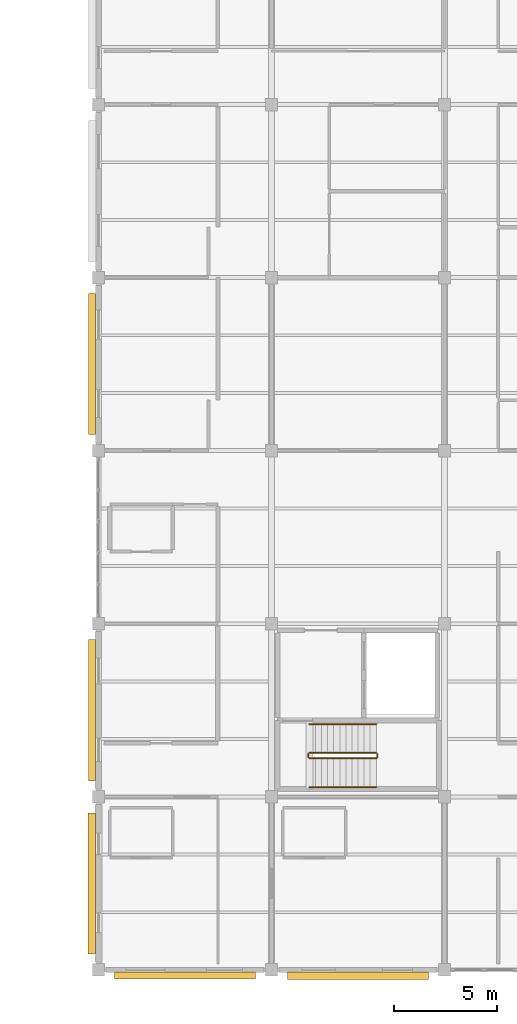
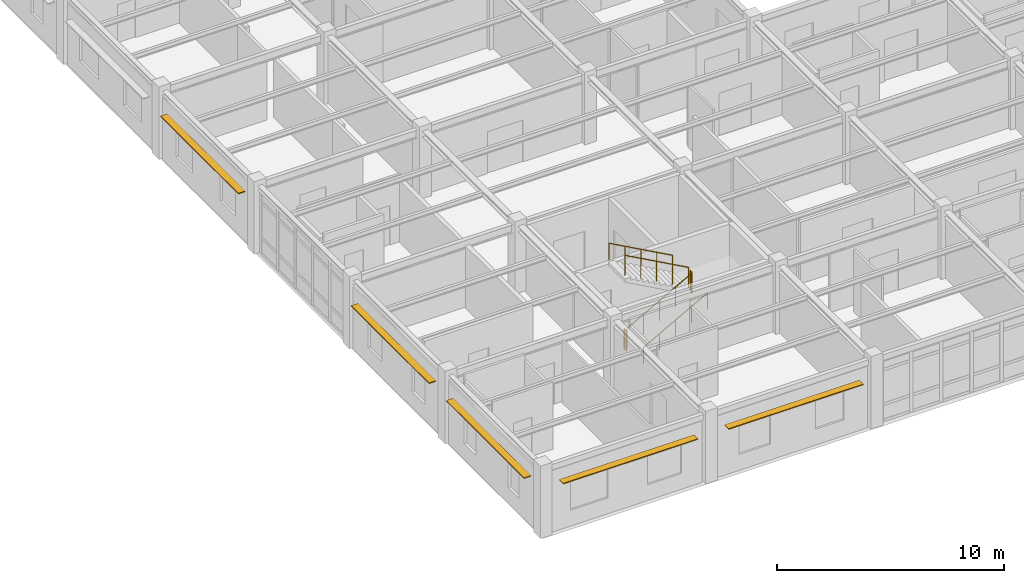
# One storey, part 61 of 70: 6 railings, 5 shading devices.
"""IFC4 building model written with IfcOpenShell, lengths in metres."""

from ifc_helpers import new_model, si_unit, direction, frame, origin, origin_2d, place, context, subcontext, project, spatial, rectangle, circle, extrude, material, material_profile, profile_set, type_object, element, save


model = new_model("IFC4")

# Units and contexts
model_context = context("Model", 3, precision=1e-05, world=origin(), true_north=direction((0.0, 1.0)))
body_context = subcontext(model_context, "Body", "Model", "MODEL_VIEW")
ifc_project = project(units=[si_unit("LENGTHUNIT", "METRE"), si_unit("AREAUNIT", "SQUARE_METRE"), si_unit("VOLUMEUNIT", "CUBIC_METRE"), si_unit("PLANEANGLEUNIT", "RADIAN"), si_unit("MASSUNIT", "GRAM", prefix="KILO")], contexts=[model_context])

# Site, building, storey
site_placement = place(None, origin())
site = spatial("IfcSite", under=ifc_project, at=site_placement, CompositionType="ELEMENT")
building_placement = place(site_placement, origin())
building = spatial("IfcBuilding", under=site, at=building_placement, Name="Bramfleet General Hospital", CompositionType="ELEMENT")
storey_placement = place(building_placement, frame((0.0, 0.0, 22.5)))
storey = spatial("IfcBuildingStorey", under=building, at=storey_placement, Name="L05", CompositionType="ELEMENT", Elevation=22.5)

# Railings
ifc_material_1 = material(Name="Powder-coated steel stair balustrade", Category="steel")
railing_type_1 = type_object("IfcRailingType", Name="RAIL-ST-GUARD", PredefinedType="GUARDRAIL", material=ifc_material_1)
railing_1_placement = place(storey_placement, frame((102.639892578125, 10.27001953125, 0.16259765625)))
element("IfcRailing", 1, at=railing_1_placement, inside=storey, type_object=railing_type_1, Name="L05 ST-C3 stair guard 1", PredefinedType="GUARDRAIL", context=body_context, shape_type="SweptSolid", body=[
    extrude(circle(Radius=0.02392578125, at=origin_2d()), frame((0.0, 0.0, 1.076171875), z_axis=(0.875926352668, 0.0, 0.482444841098), x_axis=(0.0, 1.0, 0.0)), (0.0, 0.0, 1.0), 3.704833984375),
    extrude(circle(Radius=0.02099609375, at=origin_2d()), origin(), (0.0, 0.0, 1.0), 1.052001953125),
    extrude(circle(Radius=0.02099609375, at=origin_2d()), frame((0.811279296875, 0.0, 0.44677734375)), (0.0, 0.0, 1.0), 1.052001953125),
    extrude(circle(Radius=0.02099609375, at=origin_2d()), frame((1.62255859375, 0.0, 0.8935546875)), (0.0, 0.0, 1.0), 1.052001953125),
    extrude(circle(Radius=0.02099609375, at=origin_2d()), frame((2.433837890625, 0.0, 1.340576171875)), (0.0, 0.0, 1.0), 1.052001953125),
    extrude(circle(Radius=0.02099609375, at=origin_2d()), frame((3.2451171875, 0.0, 1.787353515625)), (0.0, 0.0, 1.0), 1.052001953125),
])
railing_2_placement = place(storey_placement, frame((105.93505859375, 10.320068359375, 1.949951171875)))
element("IfcRailing", 2, at=railing_2_placement, inside=storey, type_object=railing_type_1, Name="L05 ST-C3 stair guard 2", PredefinedType="GUARDRAIL", context=body_context, shape_type="SweptSolid", body=[
    extrude(circle(Radius=0.02392578125, at=origin_2d()), frame((0.0, 0.0, 1.076171875), z_axis=(0.0, 1.0, 0.0), x_axis=(-1.0, 0.0, 0.0)), (0.0, 0.0, 1.0), 0.159912109375),
    extrude(circle(Radius=0.02099609375, at=origin_2d()), origin(), (0.0, 0.0, 1.0), 1.052001953125),
    extrude(circle(Radius=0.02099609375, at=origin_2d()), frame((0.0, 0.159912109375, 0.0)), (0.0, 0.0, 1.0), 1.052001953125),
])
railing_3_placement = place(storey_placement, frame((105.885009765625, 10.530029296875, 2.112548828125)))
element("IfcRailing", 3, at=railing_3_placement, inside=storey, type_object=railing_type_1, Name="L05 ST-C3 stair guard 3", PredefinedType="GUARDRAIL", context=body_context, shape_type="SweptSolid", body=[
    extrude(circle(Radius=0.02392578125, at=origin_2d()), frame((0.0, 0.0, 1.076171875), z_axis=(-0.875926352668, 0.0, 0.482444841098), x_axis=(0.0, -1.0, 0.0)), (0.0, 0.0, 1.0), 3.704833984375),
    extrude(circle(Radius=0.02099609375, at=origin_2d()), origin(), (0.0, 0.0, 1.0), 1.052001953125),
    extrude(circle(Radius=0.02099609375, at=origin_2d()), frame((-0.811279296875, 0.0, 0.44677734375)), (0.0, 0.0, 1.0), 1.052001953125),
    extrude(circle(Radius=0.02099609375, at=origin_2d()), frame((-1.62255859375, 0.0, 0.8935546875)), (0.0, 0.0, 1.0), 1.052001953125),
    extrude(circle(Radius=0.02099609375, at=origin_2d()), frame((-2.433837890625, 0.0, 1.340576171875)), (0.0, 0.0, 1.0), 1.052001953125),
    extrude(circle(Radius=0.02099609375, at=origin_2d()), frame((-3.2451171875, 0.0, 1.787353515625)), (0.0, 0.0, 1.0), 1.052001953125),
])
railing_4_placement = place(storey_placement, frame((102.590087890625, 10.320068359375, 0.0)))
element("IfcRailing", 4, at=railing_4_placement, inside=storey, type_object=railing_type_1, Name="L05 ST-C3 stair guard 4", PredefinedType="GUARDRAIL", context=body_context, shape_type="SweptSolid", body=[
    extrude(circle(Radius=0.02392578125, at=origin_2d()), frame((0.0, 0.0, 1.076171875), z_axis=(0.0, 1.0, 0.0), x_axis=(-1.0, 0.0, 0.0)), (0.0, 0.0, 1.0), 0.159912109375),
    extrude(circle(Radius=0.02099609375, at=origin_2d()), origin(), (0.0, 0.0, 1.0), 1.052001953125),
    extrude(circle(Radius=0.02099609375, at=origin_2d()), frame((0.0, 0.159912109375, 0.0)), (0.0, 0.0, 1.0), 1.052001953125),
])
ifc_material_2 = material(Name="Stainless steel 1.4301 stair handrail", Category="steel")
railing_type_2 = type_object("IfcRailingType", Name="RAIL-ST-HND", PredefinedType="HANDRAIL", material=ifc_material_2)
railing_5_placement = place(storey_placement, frame((102.639892578125, 8.8701171875, 0.16259765625)))
element("IfcRailing", 5, at=railing_5_placement, inside=storey, type_object=railing_type_2, Name="L05 ST-C3 stair handrail 1", PredefinedType="HANDRAIL", context=body_context, shape_type="SweptSolid", body=[
    extrude(circle(Radius=0.02392578125, at=origin_2d()), frame((0.0, 0.0, 0.8759765625), z_axis=(0.875926352668, 0.0, 0.482444841098), x_axis=(0.0, 1.0, 0.0)), (0.0, 0.0, 1.0), 3.704833984375),
    extrude(circle(Radius=0.02099609375, at=origin_2d()), origin(), (0.0, 0.0, 1.0), 0.851806640625),
    extrude(circle(Radius=0.02099609375, at=origin_2d()), frame((0.811279296875, 0.0, 0.44677734375)), (0.0, 0.0, 1.0), 0.851806640625),
    extrude(circle(Radius=0.02099609375, at=origin_2d()), frame((1.62255859375, 0.0, 0.8935546875)), (0.0, 0.0, 1.0), 0.851806640625),
    extrude(circle(Radius=0.02099609375, at=origin_2d()), frame((2.433837890625, 0.0, 1.340576171875)), (0.0, 0.0, 1.0), 0.851806640625),
    extrude(circle(Radius=0.02099609375, at=origin_2d()), frame((3.2451171875, 0.0, 1.787353515625)), (0.0, 0.0, 1.0), 0.851806640625),
])
railing_6_placement = place(storey_placement, frame((105.885009765625, 11.929931640625, 2.112548828125)))
element("IfcRailing", 6, at=railing_6_placement, inside=storey, type_object=railing_type_2, Name="L05 ST-C3 stair handrail 2", PredefinedType="HANDRAIL", context=body_context, shape_type="SweptSolid", body=[
    extrude(circle(Radius=0.02392578125, at=origin_2d()), frame((0.0, 0.0, 0.8759765625), z_axis=(-0.875926352668, 0.0, 0.482444841098), x_axis=(0.0, -1.0, 0.0)), (0.0, 0.0, 1.0), 3.704833984375),
    extrude(circle(Radius=0.02099609375, at=origin_2d()), origin(), (0.0, 0.0, 1.0), 0.851806640625),
    extrude(circle(Radius=0.02099609375, at=origin_2d()), frame((-0.811279296875, 0.0, 0.44677734375)), (0.0, 0.0, 1.0), 0.851806640625),
    extrude(circle(Radius=0.02099609375, at=origin_2d()), frame((-1.62255859375, 0.0, 0.8935546875)), (0.0, 0.0, 1.0), 0.851806640625),
    extrude(circle(Radius=0.02099609375, at=origin_2d()), frame((-2.433837890625, 0.0, 1.340576171875)), (0.0, 0.0, 1.0), 0.851806640625),
    extrude(circle(Radius=0.02099609375, at=origin_2d()), frame((-3.2451171875, 0.0, 1.787353515625)), (0.0, 0.0, 1.0), 0.851806640625),
])

# Shading devices
ifc_material_3 = material(Name="Anodised aluminium EN AW-6063", Category="aluminium")
ifc_material_profile = material_profile(ifc_material_3, rectangle(XDim=0.050048828125, YDim=0.35009765625, at=origin_2d()), Name="ALU LOUVRE 350x50")
ifc_profile_set = profile_set([ifc_material_profile], Name="Anodised aluminium EN AW-6063")
shading_device_type = type_object("IfcShadingDeviceType", Name="SHD-LVR-350", PredefinedType="USERDEFINED", material=ifc_profile_set)
shading_device_1_placement = place(storey_placement, frame((108.425048828125, -0.284912109375, 2.669921875), z_axis=(-1.0, 0.0, 0.0), x_axis=(0.0, 0.0, 1.0)))
element("IfcShadingDevice", 7, at=shading_device_1_placement, inside=storey, type_object=shading_device_type, Name="L05 Solar Shading Louvre 69", ObjectType="Louvre", PredefinedType="USERDEFINED", context=body_context, shape_type="SweptSolid", body=[
    extrude(rectangle(XDim=0.050048828125, YDim=0.35009765625, at=origin_2d()), origin(), (0.0, 0.0, 1.0), 6.85009765625),
])
shading_device_2_placement = place(storey_placement, frame((100.02490234375, -0.277587890625, 2.669921875), z_axis=(-1.0, 0.0, 0.0), x_axis=(0.0, 0.0, 1.0)))
element("IfcShadingDevice", 8, at=shading_device_2_placement, inside=storey, type_object=shading_device_type, Name="L05 Solar Shading Louvre 70", ObjectType="Louvre", PredefinedType="USERDEFINED", context=body_context, shape_type="SweptSolid", body=[
    extrude(rectangle(XDim=0.050048828125, YDim=0.35009765625, at=origin_2d()), origin(), (0.0, 0.0, 1.0), 6.849853515625),
])
shading_device_3_placement = place(storey_placement, frame((92.072509765625, 0.77490234375, 2.669921875), z_axis=(0.0, 1.0, 0.0), x_axis=(0.0, 0.0, 1.0)))
element("IfcShadingDevice", 9, at=shading_device_3_placement, inside=storey, type_object=shading_device_type, Name="L05 Solar Shading Louvre 71", ObjectType="Louvre", PredefinedType="USERDEFINED", context=body_context, shape_type="SweptSolid", body=[
    extrude(rectangle(XDim=0.050048828125, YDim=0.35009765625, at=origin_2d()), origin(), (0.0, 0.0, 1.0), 6.85009765625),
])
for number, where, z_axis, x_axis, name in (
    (10, (92.08251953125, 9.175048828125, 2.669921875), (0.0, 1.0, 0.0), (0.0, 0.0, 1.0), "L05 Solar Shading Louvre 72"),
    (11, (92.092529296875, 25.97509765625, 2.669921875), (0.0, 1.0, 0.0), (0.0, 0.0, 1.0), "L05 Solar Shading Louvre 73"),
):
    element("IfcShadingDevice", number, at=place(storey_placement, frame(where, z_axis=z_axis, x_axis=x_axis)), inside=storey, type_object=shading_device_type, Name=name, ObjectType="Louvre", PredefinedType="USERDEFINED", context=body_context, shape_type="SweptSolid", body=[
        extrude(rectangle(XDim=0.050048828125, YDim=0.35009765625, at=origin_2d()), origin(), (0.0, 0.0, 1.0), 6.849853515625),
    ])

save(model, "model.ifc")
